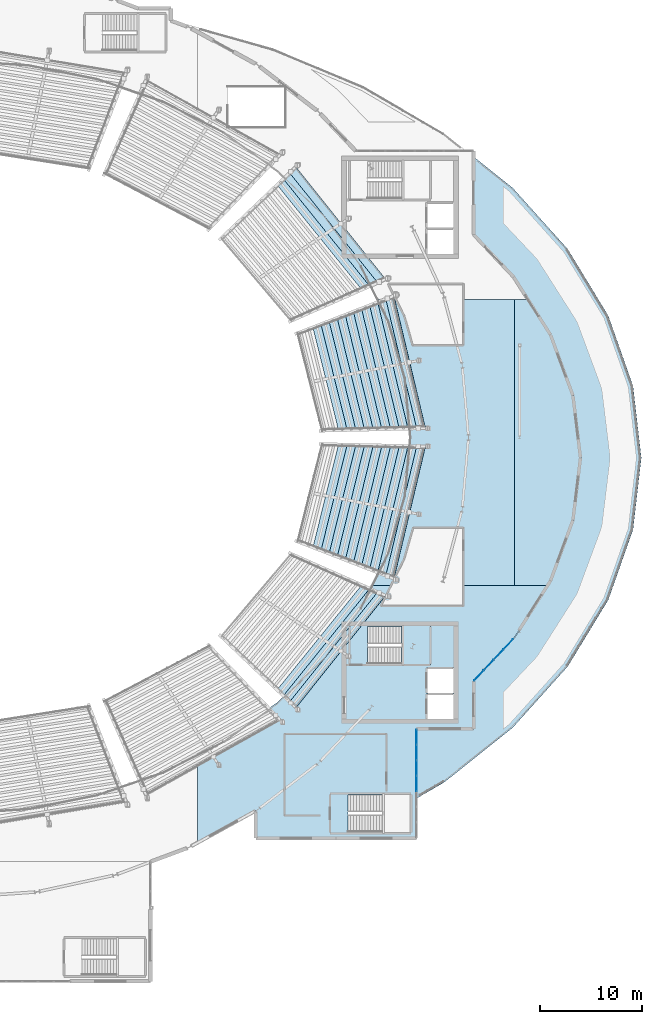
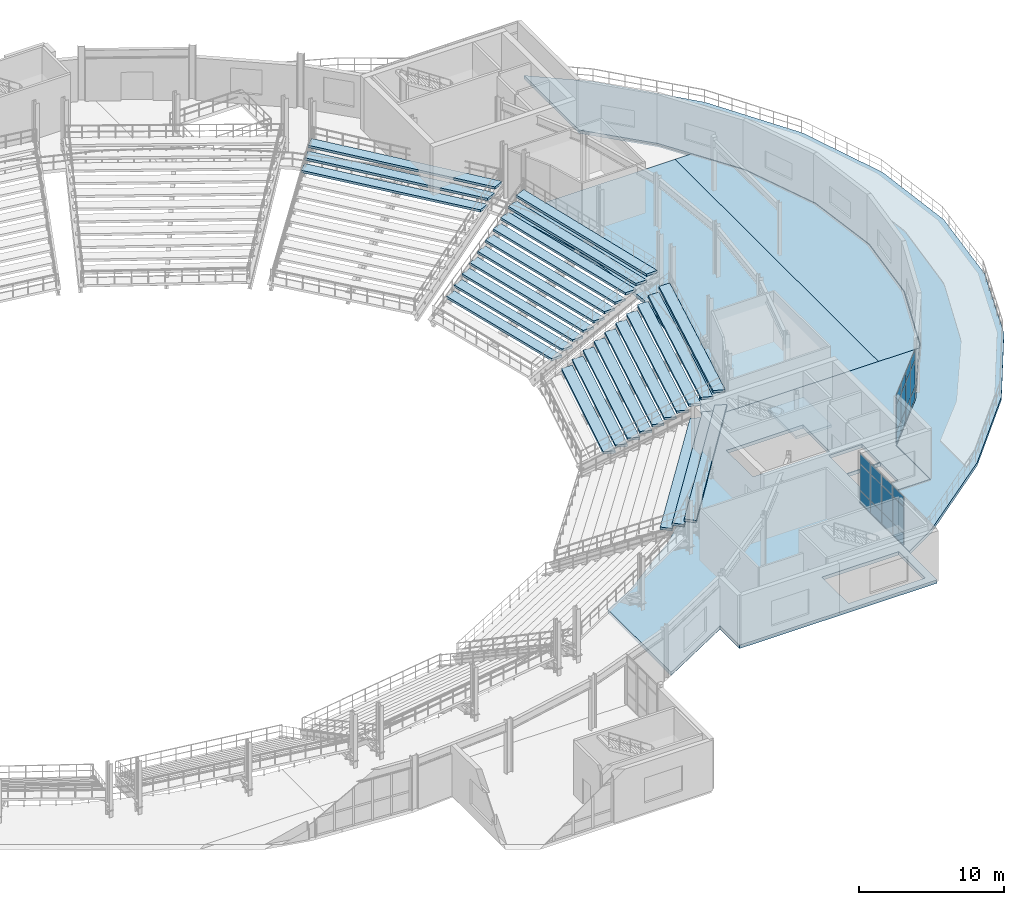
# One storey, part 51 of 81: 31 slabs, 24 plates, 3 elements without a shape of their own.
"""IFC4 building model written with IfcOpenShell, lengths in metres."""

from ifc_helpers import new_model, si_unit, direction, frame, origin, origin_2d, place, context, subcontext, project, spatial, polyline, rectangle, outline, extrude, material, layer, layer_set, type_object, element, aggregate, save


model = new_model("IFC4")

# Units and contexts
model_context = context("Model", 3, precision=1e-05, world=origin(), true_north=direction((0.0, 1.0)))
body_context = subcontext(model_context, "Body", "Model", "MODEL_VIEW")
ifc_project = project(units=[si_unit("LENGTHUNIT", "METRE"), si_unit("AREAUNIT", "SQUARE_METRE"), si_unit("VOLUMEUNIT", "CUBIC_METRE"), si_unit("PLANEANGLEUNIT", "RADIAN"), si_unit("MASSUNIT", "GRAM", prefix="KILO")], contexts=[model_context])

# Site, building, storey
site_placement = place(None, origin())
site = spatial("IfcSite", under=ifc_project, at=site_placement, CompositionType="ELEMENT")
building_placement = place(site_placement, origin())
building = spatial("IfcBuilding", under=site, at=building_placement, Name="Glasvene Arena", CompositionType="ELEMENT")
storey_placement = place(building_placement, frame((0.0, 0.0, 15.0)))
storey = spatial("IfcBuildingStorey", under=building, at=storey_placement, Name="L03", CompositionType="ELEMENT", Elevation=15.0)

# Curtain wall, plates
ifc_material_1 = material(Name="Low-emissivity laminated double glazing", Category="glass")
curtain_wall_type_1 = type_object("IfcCurtainWallType", Name="CW-FAC-L03-563x419", PredefinedType="USERDEFINED", material=ifc_material_1)
curtain_wall_1_placement = place(storey_placement, frame((146.388427734375, 53.2880859375, 0.0)))
curtain_wall_1 = element("IfcCurtainWall", 1, at=curtain_wall_1_placement, inside=storey, type_object=curtain_wall_type_1, Name="Unitised curtain wall CW-F-L03-180-1445-512-43", ObjectType="CURTAIN WALL", PredefinedType="USERDEFINED")
ifc_layer_1 = layer(ifc_material_1, 0.028076171875)
ifc_layer_set_1 = layer_set([ifc_layer_1], Name="Low-emissivity laminated double glazing")
plate_type = type_object("IfcPlateType", Name="CW-GLZ-28", PredefinedType="CURTAIN_PANEL", material=ifc_layer_set_1)
plate_1_placement = place(storey_placement, frame((145.897216796875, 52.767333984375, 0.10986328125), z_axis=(0.0, 0.0, 1.0), x_axis=(-0.686145910803, -0.727463943497, 0.0)))
plate_1 = element("IfcPlate", 2, at=plate_1_placement, type_object=plate_type, Name="CW-039 panel 1.1", PredefinedType="CURTAIN_PANEL", context=body_context, shape_type="SweptSolid", body=[
    extrude(rectangle(XDim=1.331787109375, YDim=0.028076171875, at=origin_2d()), origin(), (0.0, 0.0, 1.0), 0.965087890625),
])
plate_2_placement = place(storey_placement, frame((145.897216796875, 52.767333984375, 1.125), z_axis=(0.0, 0.0, 1.0), x_axis=(-0.686145910803, -0.727463943497, 0.0)))
plate_2 = element("IfcPlate", 3, at=plate_2_placement, type_object=plate_type, Name="CW-039 panel 1.2", PredefinedType="CURTAIN_PANEL", context=body_context, shape_type="SweptSolid", body=[
    extrude(rectangle(XDim=1.331787109375, YDim=0.028076171875, at=origin_2d()), origin(), (0.0, 0.0, 1.0), 2.199951171875),
])
plate_3_placement = place(storey_placement, frame((145.897216796875, 52.767333984375, 3.375), z_axis=(0.0, 0.0, 1.0), x_axis=(-0.686145910803, -0.727463943497, 0.0)))
plate_3 = element("IfcPlate", 4, at=plate_3_placement, type_object=plate_type, Name="CW-039 panel 1.3", PredefinedType="CURTAIN_PANEL", context=body_context, shape_type="SweptSolid", body=[
    extrude(rectangle(XDim=1.331787109375, YDim=0.028076171875, at=origin_2d()), origin(), (0.0, 0.0, 1.0), 0.824951171875),
])
plate_4_placement = place(storey_placement, frame((144.9404296875, 51.7529296875, 0.10986328125), z_axis=(0.0, 0.0, 1.0), x_axis=(-0.686145910803, -0.727463943497, 0.0)))
plate_4 = element("IfcPlate", 5, at=plate_4_placement, type_object=plate_type, Name="CW-039 panel 2.1", PredefinedType="CURTAIN_PANEL", context=body_context, shape_type="SweptSolid", body=[
    extrude(rectangle(XDim=1.356689453125, YDim=0.028076171875, at=origin_2d()), origin(), (0.0, 0.0, 1.0), 0.965087890625),
])
plate_5_placement = place(storey_placement, frame((144.9404296875, 51.7529296875, 1.125), z_axis=(0.0, 0.0, 1.0), x_axis=(-0.686145910803, -0.727463943497, 0.0)))
plate_5 = element("IfcPlate", 6, at=plate_5_placement, type_object=plate_type, Name="CW-039 panel 2.2", PredefinedType="CURTAIN_PANEL", context=body_context, shape_type="SweptSolid", body=[
    extrude(rectangle(XDim=1.356689453125, YDim=0.028076171875, at=origin_2d()), origin(), (0.0, 0.0, 1.0), 2.199951171875),
])
plate_6_placement = place(storey_placement, frame((144.9404296875, 51.7529296875, 3.375), z_axis=(0.0, 0.0, 1.0), x_axis=(-0.686145910803, -0.727463943497, 0.0)))
plate_6 = element("IfcPlate", 7, at=plate_6_placement, type_object=plate_type, Name="CW-039 panel 2.3", PredefinedType="CURTAIN_PANEL", context=body_context, shape_type="SweptSolid", body=[
    extrude(rectangle(XDim=1.356689453125, YDim=0.028076171875, at=origin_2d()), origin(), (0.0, 0.0, 1.0), 0.824951171875),
])
plate_7_placement = place(storey_placement, frame((143.975341796875, 50.7294921875, 0.10986328125), z_axis=(0.0, 0.0, 1.0), x_axis=(-0.686145910803, -0.727463943497, 0.0)))
plate_7 = element("IfcPlate", 8, at=plate_7_placement, type_object=plate_type, Name="CW-039 panel 3.1", PredefinedType="CURTAIN_PANEL", context=body_context, shape_type="SweptSolid", body=[
    extrude(rectangle(XDim=1.356689453125, YDim=0.028076171875, at=origin_2d()), origin(), (0.0, 0.0, 1.0), 0.965087890625),
])
plate_8_placement = place(storey_placement, frame((143.975341796875, 50.7294921875, 1.125), z_axis=(0.0, 0.0, 1.0), x_axis=(-0.686145910803, -0.727463943497, 0.0)))
plate_8 = element("IfcPlate", 9, at=plate_8_placement, type_object=plate_type, Name="CW-039 panel 3.2", PredefinedType="CURTAIN_PANEL", context=body_context, shape_type="SweptSolid", body=[
    extrude(rectangle(XDim=1.356689453125, YDim=0.028076171875, at=origin_2d()), origin(), (0.0, 0.0, 1.0), 2.199951171875),
])
plate_9_placement = place(storey_placement, frame((143.975341796875, 50.7294921875, 3.375), z_axis=(0.0, 0.0, 1.0), x_axis=(-0.686145910803, -0.727463943497, 0.0)))
plate_9 = element("IfcPlate", 10, at=plate_9_placement, type_object=plate_type, Name="CW-039 panel 3.3", PredefinedType="CURTAIN_PANEL", context=body_context, shape_type="SweptSolid", body=[
    extrude(rectangle(XDim=1.356689453125, YDim=0.028076171875, at=origin_2d()), origin(), (0.0, 0.0, 1.0), 0.824951171875),
])
plate_10_placement = place(storey_placement, frame((143.0185546875, 49.71533203125, 0.10986328125), z_axis=(0.0, 0.0, 1.0), x_axis=(-0.686145910803, -0.727463943497, 0.0)))
plate_10 = element("IfcPlate", 11, at=plate_10_placement, type_object=plate_type, Name="CW-039 panel 4.1", PredefinedType="CURTAIN_PANEL", context=body_context, shape_type="SweptSolid", body=[
    extrude(rectangle(XDim=1.331787109375, YDim=0.028076171875, at=origin_2d()), origin(), (0.0, 0.0, 1.0), 0.965087890625),
])
plate_11_placement = place(storey_placement, frame((143.0185546875, 49.71533203125, 1.125), z_axis=(0.0, 0.0, 1.0), x_axis=(-0.686145910803, -0.727463943497, 0.0)))
plate_11 = element("IfcPlate", 12, at=plate_11_placement, type_object=plate_type, Name="CW-039 panel 4.2", PredefinedType="CURTAIN_PANEL", context=body_context, shape_type="SweptSolid", body=[
    extrude(rectangle(XDim=1.331787109375, YDim=0.028076171875, at=origin_2d()), origin(), (0.0, 0.0, 1.0), 2.199951171875),
])
plate_12_placement = place(storey_placement, frame((143.0185546875, 49.71533203125, 3.375), z_axis=(0.0, 0.0, 1.0), x_axis=(-0.686145910803, -0.727463943497, 0.0)))
plate_12 = element("IfcPlate", 13, at=plate_12_placement, type_object=plate_type, Name="CW-039 panel 4.3", PredefinedType="CURTAIN_PANEL", context=body_context, shape_type="SweptSolid", body=[
    extrude(rectangle(XDim=1.331787109375, YDim=0.028076171875, at=origin_2d()), origin(), (0.0, 0.0, 1.0), 0.824951171875),
])
aggregate(curtain_wall_1, [plate_1, plate_2, plate_3, plate_4, plate_5, plate_6, plate_7, plate_8, plate_9, plate_10, plate_11, plate_12])

curtain_wall_type_2 = type_object("IfcCurtainWallType", Name="CW-FAC-L03-1062x419", PredefinedType="USERDEFINED", material=ifc_material_1)
curtain_wall_2_placement = place(storey_placement, frame((136.89990234375, 44.4599609375, 0.0)))
curtain_wall_2 = element("IfcCurtainWall", 14, at=curtain_wall_2_placement, inside=storey, type_object=curtain_wall_type_2, Name="Unitised curtain wall CW-F-L03-180-1369-392-46", ObjectType="CURTAIN WALL", PredefinedType="USERDEFINED")
plate_13_placement = place(storey_placement, frame((136.89990234375, 43.68896484375, 0.10986328125), z_axis=(0.0, 0.0, 1.0), x_axis=(0.0, -1.0, 0.0)))
plate_13 = element("IfcPlate", 15, at=plate_13_placement, type_object=plate_type, Name="CW-040 panel 1.1", PredefinedType="CURTAIN_PANEL", context=body_context, shape_type="SweptSolid", body=[
    extrude(rectangle(XDim=1.442138671875, YDim=0.028076171875, at=origin_2d()), origin(), (0.0, 0.0, 1.0), 0.965087890625),
])
plate_14_placement = place(storey_placement, frame((136.89990234375, 43.68896484375, 1.125), z_axis=(0.0, 0.0, 1.0), x_axis=(0.0, -1.0, 0.0)))
plate_14 = element("IfcPlate", 16, at=plate_14_placement, type_object=plate_type, Name="CW-040 panel 1.2", PredefinedType="CURTAIN_PANEL", context=body_context, shape_type="SweptSolid", body=[
    extrude(rectangle(XDim=1.442138671875, YDim=0.028076171875, at=origin_2d()), origin(), (0.0, 0.0, 1.0), 2.199951171875),
])
plate_15_placement = place(storey_placement, frame((136.89990234375, 43.68896484375, 3.375), z_axis=(0.0, 0.0, 1.0), x_axis=(0.0, -1.0, 0.0)))
plate_15 = element("IfcPlate", 17, at=plate_15_placement, type_object=plate_type, Name="CW-040 panel 1.3", PredefinedType="CURTAIN_PANEL", context=body_context, shape_type="SweptSolid", body=[
    extrude(rectangle(XDim=1.442138671875, YDim=0.028076171875, at=origin_2d()), origin(), (0.0, 0.0, 1.0), 0.824951171875),
])
plate_16_placement = place(storey_placement, frame((136.89990234375, 42.184326171875, 0.10986328125), z_axis=(0.0, 0.0, 1.0), x_axis=(0.0, -1.0, 0.0)))
plate_16 = element("IfcPlate", 18, at=plate_16_placement, type_object=plate_type, Name="CW-040 panel 2.1", PredefinedType="CURTAIN_PANEL", context=body_context, shape_type="SweptSolid", body=[
    extrude(rectangle(XDim=1.467041015625, YDim=0.028076171875, at=origin_2d()), origin(), (0.0, 0.0, 1.0), 0.965087890625),
])
plate_17_placement = place(storey_placement, frame((136.89990234375, 42.184326171875, 1.125), z_axis=(0.0, 0.0, 1.0), x_axis=(0.0, -1.0, 0.0)))
plate_17 = element("IfcPlate", 19, at=plate_17_placement, type_object=plate_type, Name="CW-040 panel 2.2", PredefinedType="CURTAIN_PANEL", context=body_context, shape_type="SweptSolid", body=[
    extrude(rectangle(XDim=1.467041015625, YDim=0.028076171875, at=origin_2d()), origin(), (0.0, 0.0, 1.0), 2.199951171875),
])
plate_18_placement = place(storey_placement, frame((136.89990234375, 42.184326171875, 3.375), z_axis=(0.0, 0.0, 1.0), x_axis=(0.0, -1.0, 0.0)))
plate_18 = element("IfcPlate", 20, at=plate_18_placement, type_object=plate_type, Name="CW-040 panel 2.3", PredefinedType="CURTAIN_PANEL", context=body_context, shape_type="SweptSolid", body=[
    extrude(rectangle(XDim=1.467041015625, YDim=0.028076171875, at=origin_2d()), origin(), (0.0, 0.0, 1.0), 0.824951171875),
])
plate_19_placement = place(storey_placement, frame((136.89990234375, 40.667236328125, 0.10986328125), z_axis=(0.0, 0.0, 1.0), x_axis=(0.0, -1.0, 0.0)))
plate_19 = element("IfcPlate", 21, at=plate_19_placement, type_object=plate_type, Name="CW-040 panel 3.1", PredefinedType="CURTAIN_PANEL", context=body_context, shape_type="SweptSolid", body=[
    extrude(rectangle(XDim=1.467041015625, YDim=0.028076171875, at=origin_2d()), origin(), (0.0, 0.0, 1.0), 0.965087890625),
])
plate_20_placement = place(storey_placement, frame((136.89990234375, 40.667236328125, 1.125), z_axis=(0.0, 0.0, 1.0), x_axis=(0.0, -1.0, 0.0)))
plate_20 = element("IfcPlate", 22, at=plate_20_placement, type_object=plate_type, Name="CW-040 panel 3.2", PredefinedType="CURTAIN_PANEL", context=body_context, shape_type="SweptSolid", body=[
    extrude(rectangle(XDim=1.467041015625, YDim=0.028076171875, at=origin_2d()), origin(), (0.0, 0.0, 1.0), 2.199951171875),
])
plate_21_placement = place(storey_placement, frame((136.89990234375, 40.667236328125, 3.375), z_axis=(0.0, 0.0, 1.0), x_axis=(0.0, -1.0, 0.0)))
plate_21 = element("IfcPlate", 23, at=plate_21_placement, type_object=plate_type, Name="CW-040 panel 3.3", PredefinedType="CURTAIN_PANEL", context=body_context, shape_type="SweptSolid", body=[
    extrude(rectangle(XDim=1.467041015625, YDim=0.028076171875, at=origin_2d()), origin(), (0.0, 0.0, 1.0), 0.824951171875),
])
plate_22_placement = place(storey_placement, frame((136.89990234375, 39.14990234375, 0.10986328125), z_axis=(0.0, 0.0, 1.0), x_axis=(0.0, -1.0, 0.0)))
plate_22 = element("IfcPlate", 24, at=plate_22_placement, type_object=plate_type, Name="CW-040 panel 4.1", PredefinedType="CURTAIN_PANEL", context=body_context, shape_type="SweptSolid", body=[
    extrude(rectangle(XDim=1.467041015625, YDim=0.028076171875, at=origin_2d()), origin(), (0.0, 0.0, 1.0), 0.965087890625),
])
plate_23_placement = place(storey_placement, frame((136.89990234375, 39.14990234375, 1.125), z_axis=(0.0, 0.0, 1.0), x_axis=(0.0, -1.0, 0.0)))
plate_23 = element("IfcPlate", 25, at=plate_23_placement, type_object=plate_type, Name="CW-040 panel 4.2", PredefinedType="CURTAIN_PANEL", context=body_context, shape_type="SweptSolid", body=[
    extrude(rectangle(XDim=1.467041015625, YDim=0.028076171875, at=origin_2d()), origin(), (0.0, 0.0, 1.0), 2.199951171875),
])
plate_24_placement = place(storey_placement, frame((136.89990234375, 39.14990234375, 3.375), z_axis=(0.0, 0.0, 1.0), x_axis=(0.0, -1.0, 0.0)))
plate_24 = element("IfcPlate", 26, at=plate_24_placement, type_object=plate_type, Name="CW-040 panel 4.3", PredefinedType="CURTAIN_PANEL", context=body_context, shape_type="SweptSolid", body=[
    extrude(rectangle(XDim=1.467041015625, YDim=0.028076171875, at=origin_2d()), origin(), (0.0, 0.0, 1.0), 0.824951171875),
])
aggregate(curtain_wall_2, [plate_13, plate_14, plate_15, plate_16, plate_17, plate_18, plate_19, plate_20, plate_21, plate_22, plate_23, plate_24])

# Slabs
ifc_material_2 = material(Name="Concrete C40/50", Category="concrete")
ifc_layer_2 = layer(ifc_material_2, 0.280029296875)
ifc_layer_set_2 = layer_set([ifc_layer_2], Name="Concrete C40/50")
slab_type_1 = type_object("IfcSlabType", Name="SL-CONC-280", PredefinedType="FLOOR", material=ifc_layer_set_2)
slab_1_placement = place(storey_placement, frame((130.744873046875, 45.739501953125, -0.280029296875)))
element("IfcSlab", 27, at=slab_1_placement, inside=storey, type_object=slab_type_1, Name="Structural floor slab L03 sector 2-5 (90)", PredefinedType="FLOOR", context=body_context, shape_type="SweptSolid", body=[
    extrude(outline(polyline([(11.755126953125, -1.239501953125), (6.155029296875, -1.239501953125), (6.155029296875, -11.939453125), (-9.544921875, -11.939453125), (-9.544921875, -9.249755859375), (-15.244873046875, -12.393310546875), (-15.244873046875, -3.6923828125), (-12.764892578125, -2.430419921875), (-7.49072265625, 1.309814453125), (-2.986328125, 5.688720703125), (0.6376953125, 10.598876953125), (1.7158203125, 12.760498046875), (18.975341796875, 12.760498046875), (15.6708984375, 7.57763671875), (11.755126953125, 3.42578125), (11.755126953125, -1.239501953125)]), holes=[polyline([(5.55517578125, -11.339599609375), (5.55517578125, -7.689453125), (-0.54296875, -7.689453125), (-0.54296875, -11.339599609375), (5.55517578125, -11.339599609375)]), polyline([(9.80517578125, -0.28955078125), (9.80517578125, 2.160400390625), (7.155029296875, 2.160400390625), (7.155029296875, -0.28955078125), (9.80517578125, -0.28955078125)]), polyline([(9.80517578125, 2.260498046875), (9.80517578125, 4.71044921875), (7.155029296875, 4.71044921875), (7.155029296875, 2.260498046875), (9.80517578125, 2.260498046875)]), polyline([(7.455078125, 5.110595703125), (7.455078125, 8.760498046875), (1.357177734375, 8.760498046875), (1.357177734375, 5.110595703125), (7.455078125, 5.110595703125)])]), origin(), (0.0, 0.0, 1.0), 0.280029296875),
])
slab_2_placement = place(storey_placement, frame((137.11181640625, 72.77783203125, -0.280029296875)))
element("IfcSlab", 28, at=slab_2_placement, inside=storey, type_object=slab_type_1, Name="Structural floor slab L03 sector 3-5 (93)", PredefinedType="FLOOR", context=body_context, shape_type="SweptSolid", body=[
    extrude(outline(polyline([(-3.0751953125, 11.56298828125), (-4.152099609375, 13.72216796875), (9.38818359375, 13.72216796875), (9.38818359375, -14.27783203125), (-4.651123046875, -14.27783203125), (-3.0751953125, -11.11865234375), (-1.4560546875, -5.51904296875), (-0.911865234375, 0.22216796875), (-1.4560546875, 5.96337890625), (-3.0751953125, 11.56298828125)])), origin(), (0.0, 0.0, 1.0), 0.280029296875),
])
slab_3_placement = place(storey_placement, frame((149.770263671875, 71.666748046875, -0.280029296875)))
element("IfcSlab", 29, at=slab_3_placement, inside=storey, type_object=slab_type_1, Name="Structural floor slab L03 sector 3-6 (94)", PredefinedType="FLOOR", context=body_context, shape_type="SweptSolid", body=[
    extrude(outline(polyline([(0.24560546875, 11.369384765625), (2.441650390625, 5.42626953125), (3.1796875, -0.666748046875), (2.441650390625, -6.759765625), (0.24560546875, -12.702880859375), (-0.050048828125, -13.166748046875), (-3.270263671875, -13.166748046875), (-3.270263671875, 14.833251953125), (-1.962646484375, 14.833251953125), (0.24560546875, 11.369384765625)])), origin(), (0.0, 0.0, 1.0), 0.280029296875),
])

# Stair, slab
stair_type = type_object("IfcStairType", Name="ST-HT-450-170", PredefinedType="HALF_TURN_STAIR", material=ifc_material_2)
stair_placement = place(storey_placement, origin())
stair = element("IfcStair", 30, at=stair_placement, inside=storey, type_object=stair_type, Name="Protected escape stair ST-04 (L03 to L04)", PredefinedType="HALF_TURN_STAIR")
ifc_layer_3 = layer(ifc_material_2, 0.219970703125)
ifc_layer_set_3 = layer_set([ifc_layer_3], Name="Concrete C40/50")
slab_type_2 = type_object("IfcSlabType", Name="SL-LAND-220", PredefinedType="LANDING", material=ifc_layer_set_3)
slab_4_placement = place(storey_placement, frame((136.8798828125, 52.675048828125, 2.030029296875)))
slab_4 = element("IfcSlab", 31, at=slab_4_placement, type_object=slab_type_2, Name="Protected escape stair ST-04 (L03 to L04) landing 1", PredefinedType="LANDING", context=body_context, shape_type="SweptSolid", body=[
    extrude(outline(polyline([(-1.419921875, -1.925048828125), (1.420166015625, -1.925048828125), (1.420166015625, 1.925048828125), (-1.419921875, 1.925048828125), (-1.419921875, -1.925048828125)])), origin(), (0.0, 0.0, 1.0), 0.219970703125),
])
aggregate(stair, [slab_4])

# Slabs
ifc_layer_4 = layer(ifc_material_2, 0.280029296875)
ifc_layer_set_4 = layer_set([ifc_layer_4], Name="Concrete C40/50")
slab_type_3 = type_object("IfcSlabType", Name="SL-TERR-280", PredefinedType="FLOOR", material=ifc_layer_set_4)
slab_5_placement = place(storey_placement, frame((147.852294921875, 64.526123046875, -0.280029296875)))
element("IfcSlab", 32, at=slab_5_placement, inside=storey, type_object=slab_type_3, Name="Planted limestone terrace slab TR-L03-STEP2-1", PredefinedType="FLOOR", context=body_context, shape_type="SweptSolid", body=[
    extrude(outline(polyline([(3.864990234375, 26.858154296875), (7.822265625, 20.348876953125), (10.236328125, 13.497802734375), (11.047607421875, 6.473876953125), (10.236328125, -0.550048828125), (7.822265625, -7.401123046875), (3.864990234375, -13.910400390625), (-1.5380859375, -19.917724609375), (-8.25390625, -25.275146484375), (-10.912353515625, -26.822021484375), (-10.912353515625, -20.066162109375), (-5.352294921875, -20.066162109375), (-5.3369140625, -20.063232421875), (-5.3212890625, -20.051513671875), (-5.31396484375, -20.037841796875), (-5.312255859375, -15.376708984375), (-1.40478515625, -11.233642578125), (2.197265625, -5.583740234375), (4.397216796875, 0.366943359375), (5.137451171875, 6.468994140625), (4.3994140625, 12.57177734375), (2.200927734375, 18.52392578125), (-1.40478515625, 24.181396484375), (-5.312255859375, 28.324462890625), (-5.312255859375, 35.876220703125), (-1.5380859375, 32.865478515625), (3.864990234375, 26.858154296875)])), origin(), (0.0, 0.0, 1.0), 0.280029296875),
])
ifc_material_3 = material(Name="Precast concrete C50/60", Category="concrete")
ifc_layer_5 = layer(ifc_material_3, 0.199951171875)
ifc_layer_set_5 = layer_set([ifc_layer_5], Name="Precast concrete C50/60")
slab_type_4 = type_object("IfcSlabType", Name="SL-TIER-UP", PredefinedType="USERDEFINED", material=ifc_layer_set_5)
slab_6_placement = place(storey_placement, frame((128.443603515625, 78.807861328125, -3.139892578125)))
element("IfcSlab", 33, at=slab_6_placement, inside=storey, type_object=slab_type_4, Name="Stand upper tier sector 01 row 03", ObjectType="SEATING TIER", PredefinedType="USERDEFINED", context=body_context, shape_type="SweptSolid", body=[
    extrude(outline(polyline([(0.8466796875, -5.1318359375), (-1.66796875, 4.968505859375), (-0.87548828125, 5.27587890625), (1.696533203125, -5.112548828125), (0.8466796875, -5.1318359375)])), origin(), (0.0, 0.0, 1.0), 0.199951171875),
])
slab_7_placement = place(storey_placement, frame((129.2646484375, 78.97119140625, -2.659912109375)))
element("IfcSlab", 34, at=slab_7_placement, inside=storey, type_object=slab_type_4, Name="Stand upper tier sector 01 row 04", ObjectType="SEATING TIER", PredefinedType="USERDEFINED", context=body_context, shape_type="SweptSolid", body=[
    extrude(outline(polyline([(0.87548828125, -5.27587890625), (-1.696533203125, 5.112548828125), (-0.904052734375, 5.419921875), (1.725341796875, -5.256591796875), (0.87548828125, -5.27587890625)])), origin(), (0.0, 0.0, 1.0), 0.199951171875),
])
slab_8_placement = place(storey_placement, frame((130.0859375, 79.134521484375, -2.179931640625)))
element("IfcSlab", 35, at=slab_8_placement, inside=storey, type_object=slab_type_4, Name="Stand upper tier sector 01 row 05", ObjectType="SEATING TIER", PredefinedType="USERDEFINED", context=body_context, shape_type="SweptSolid", body=[
    extrude(outline(polyline([(0.904052734375, -5.419921875), (-1.725341796875, 5.256591796875), (-0.932861328125, 5.56396484375), (1.753662109375, -5.400634765625), (0.904052734375, -5.419921875)])), origin(), (0.0, 0.0, 1.0), 0.199951171875),
])
slab_9_placement = place(storey_placement, frame((130.906982421875, 79.2978515625, -1.699951171875)))
element("IfcSlab", 36, at=slab_9_placement, inside=storey, type_object=slab_type_4, Name="Stand upper tier sector 01 row 06", ObjectType="SEATING TIER", PredefinedType="USERDEFINED", context=body_context, shape_type="SweptSolid", body=[
    extrude(outline(polyline([(0.9326171875, -5.56396484375), (-1.75390625, 5.400634765625), (-0.96142578125, 5.7080078125), (1.782470703125, -5.544677734375), (0.9326171875, -5.56396484375)])), origin(), (0.0, 0.0, 1.0), 0.199951171875),
])
slab_10_placement = place(storey_placement, frame((131.72802734375, 79.461181640625, -1.219970703125)))
element("IfcSlab", 37, at=slab_10_placement, inside=storey, type_object=slab_type_4, Name="Stand upper tier sector 01 row 07", ObjectType="SEATING TIER", PredefinedType="USERDEFINED", context=body_context, shape_type="SweptSolid", body=[
    extrude(outline(polyline([(0.96142578125, -5.7080078125), (-1.782470703125, 5.544677734375), (-0.989990234375, 5.85205078125), (1.811279296875, -5.688720703125), (0.96142578125, -5.7080078125)])), origin(), (0.0, 0.0, 1.0), 0.199951171875),
])
slab_11_placement = place(storey_placement, frame((132.54931640625, 79.62451171875, -0.739990234375)))
element("IfcSlab", 38, at=slab_11_placement, inside=storey, type_object=slab_type_4, Name="Stand upper tier sector 01 row 08", ObjectType="SEATING TIER", PredefinedType="USERDEFINED", context=body_context, shape_type="SweptSolid", body=[
    extrude(outline(polyline([(0.989990234375, -5.85205078125), (-1.811279296875, 5.688720703125), (-1.018798828125, 5.99609375), (1.83984375, -5.832763671875), (0.989990234375, -5.85205078125)])), origin(), (0.0, 0.0, 1.0), 0.199951171875),
])
slab_12_placement = place(storey_placement, frame((133.370361328125, 79.787841796875, -0.260009765625)))
element("IfcSlab", 39, at=slab_12_placement, inside=storey, type_object=slab_type_4, Name="Stand upper tier sector 01 row 09", ObjectType="SEATING TIER", PredefinedType="USERDEFINED", context=body_context, shape_type="SweptSolid", body=[
    extrude(outline(polyline([(1.018798828125, -5.99609375), (-1.83984375, 5.832763671875), (-1.04736328125, 6.14013671875), (1.86865234375, -5.976806640625), (1.018798828125, -5.99609375)])), origin(), (0.0, 0.0, 1.0), 0.199951171875),
])
slab_13_placement = place(storey_placement, frame((134.19140625, 79.951171875, 0.219970703125)))
element("IfcSlab", 40, at=slab_13_placement, inside=storey, type_object=slab_type_4, Name="Stand upper tier sector 01 row 10", ObjectType="SEATING TIER", PredefinedType="USERDEFINED", context=body_context, shape_type="SweptSolid", body=[
    extrude(outline(polyline([(1.047607421875, -6.14013671875), (-1.868408203125, 5.976806640625), (-1.075927734375, 6.284423828125), (1.897216796875, -6.120849609375), (1.047607421875, -6.14013671875)])), origin(), (0.0, 0.0, 1.0), 0.199951171875),
])
slab_14_placement = place(storey_placement, frame((135.0126953125, 80.114501953125, 0.699951171875)))
element("IfcSlab", 41, at=slab_14_placement, inside=storey, type_object=slab_type_4, Name="Stand upper tier sector 01 row 11", ObjectType="SEATING TIER", PredefinedType="USERDEFINED", context=body_context, shape_type="SweptSolid", body=[
    extrude(outline(polyline([(1.075927734375, -6.2841796875), (-1.897216796875, 6.12109375), (-1.104736328125, 6.42822265625), (1.92578125, -6.264892578125), (1.075927734375, -6.2841796875)])), origin(), (0.0, 0.0, 1.0), 0.199951171875),
])
slab_15_placement = place(storey_placement, frame((135.833740234375, 80.27783203125, 1.179931640625)))
element("IfcSlab", 42, at=slab_15_placement, inside=storey, type_object=slab_type_4, Name="Stand upper tier sector 01 row 12", ObjectType="SEATING TIER", PredefinedType="USERDEFINED", context=body_context, shape_type="SweptSolid", body=[
    extrude(outline(polyline([(1.104736328125, -6.42822265625), (-1.92578125, 6.264892578125), (-1.13330078125, 6.572265625), (1.954345703125, -6.408935546875), (1.104736328125, -6.42822265625)])), origin(), (0.0, 0.0, 1.0), 0.199951171875),
])
slab_16_placement = place(storey_placement, frame((127.768310546875, 92.79541015625, 0.219970703125)))
element("IfcSlab", 43, at=slab_16_placement, inside=storey, type_object=slab_type_4, Name="Stand upper tier sector 02 row 10", ObjectType="SEATING TIER", PredefinedType="USERDEFINED", context=body_context, shape_type="SweptSolid", body=[
    extrude(outline(polyline([(3.8037109375, -5.36865234375), (-4.5, 4.903564453125), (-3.885498046875, 5.490966796875), (4.581298828125, -5.025634765625), (3.8037109375, -5.36865234375)])), origin(), (0.0, 0.0, 1.0), 0.199951171875),
])
slab_17_placement = place(storey_placement, frame((128.46435546875, 93.260498046875, 0.699951171875)))
element("IfcSlab", 44, at=slab_17_placement, inside=storey, type_object=slab_type_4, Name="Stand upper tier sector 02 row 11", ObjectType="SEATING TIER", PredefinedType="USERDEFINED", context=body_context, shape_type="SweptSolid", body=[
    extrude(outline(polyline([(3.88525390625, -5.49072265625), (-4.58154296875, 5.02587890625), (-3.967041015625, 5.613037109375), (4.6630859375, -5.147705078125), (3.88525390625, -5.49072265625)])), origin(), (0.0, 0.0, 1.0), 0.199951171875),
])
slab_18_placement = place(storey_placement, frame((129.160400390625, 93.725830078125, 1.179931640625)))
element("IfcSlab", 45, at=slab_18_placement, inside=storey, type_object=slab_type_4, Name="Stand upper tier sector 02 row 12", ObjectType="SEATING TIER", PredefinedType="USERDEFINED", context=body_context, shape_type="SweptSolid", body=[
    extrude(outline(polyline([(3.967041015625, -5.613037109375), (-4.6630859375, 5.147705078125), (-4.048583984375, 5.73486328125), (4.744873046875, -5.27001953125), (3.967041015625, -5.613037109375)])), origin(), (0.0, 0.0, 1.0), 0.199951171875),
])
slab_19_placement = place(storey_placement, frame((127.768310546875, 53.20458984375, 0.219970703125)))
element("IfcSlab", 46, at=slab_19_placement, inside=storey, type_object=slab_type_4, Name="Stand upper tier sector 15 row 10", ObjectType="SEATING TIER", PredefinedType="USERDEFINED", context=body_context, shape_type="SweptSolid", body=[
    extrude(outline(polyline([(-4.5, -4.903564453125), (3.8037109375, 5.36865234375), (4.581298828125, 5.025634765625), (-3.885498046875, -5.490966796875), (-4.5, -4.903564453125)])), origin(), (0.0, 0.0, 1.0), 0.199951171875),
])
slab_20_placement = place(storey_placement, frame((128.46435546875, 52.739501953125, 0.699951171875)))
element("IfcSlab", 47, at=slab_20_placement, inside=storey, type_object=slab_type_4, Name="Stand upper tier sector 15 row 11", ObjectType="SEATING TIER", PredefinedType="USERDEFINED", context=body_context, shape_type="SweptSolid", body=[
    extrude(outline(polyline([(-4.58154296875, -5.02587890625), (3.88525390625, 5.49072265625), (4.6630859375, 5.147705078125), (-3.967041015625, -5.613037109375), (-4.58154296875, -5.02587890625)])), origin(), (0.0, 0.0, 1.0), 0.199951171875),
])
slab_21_placement = place(storey_placement, frame((129.160400390625, 52.274169921875, 1.179931640625)))
element("IfcSlab", 48, at=slab_21_placement, inside=storey, type_object=slab_type_4, Name="Stand upper tier sector 15 row 12", ObjectType="SEATING TIER", PredefinedType="USERDEFINED", context=body_context, shape_type="SweptSolid", body=[
    extrude(outline(polyline([(-4.6630859375, -5.147705078125), (3.967041015625, 5.613037109375), (4.744873046875, 5.27001953125), (-4.048583984375, -5.73486328125), (-4.6630859375, -5.147705078125)])), origin(), (0.0, 0.0, 1.0), 0.199951171875),
])
slab_22_placement = place(storey_placement, frame((128.443603515625, 67.192138671875, -3.139892578125)))
element("IfcSlab", 49, at=slab_22_placement, inside=storey, type_object=slab_type_4, Name="Stand upper tier sector 16 row 03", ObjectType="SEATING TIER", PredefinedType="USERDEFINED", context=body_context, shape_type="SweptSolid", body=[
    extrude(outline(polyline([(-1.66796875, -4.968505859375), (0.8466796875, 5.1318359375), (1.696533203125, 5.112548828125), (-0.87548828125, -5.27587890625), (-1.66796875, -4.968505859375)])), origin(), (0.0, 0.0, 1.0), 0.199951171875),
])
slab_23_placement = place(storey_placement, frame((129.2646484375, 67.02880859375, -2.659912109375)))
element("IfcSlab", 50, at=slab_23_placement, inside=storey, type_object=slab_type_4, Name="Stand upper tier sector 16 row 04", ObjectType="SEATING TIER", PredefinedType="USERDEFINED", context=body_context, shape_type="SweptSolid", body=[
    extrude(outline(polyline([(-1.696533203125, -5.112548828125), (0.87548828125, 5.27587890625), (1.725341796875, 5.256591796875), (-0.904052734375, -5.419921875), (-1.696533203125, -5.112548828125)])), origin(), (0.0, 0.0, 1.0), 0.199951171875),
])
slab_24_placement = place(storey_placement, frame((130.0859375, 66.865478515625, -2.179931640625)))
element("IfcSlab", 51, at=slab_24_placement, inside=storey, type_object=slab_type_4, Name="Stand upper tier sector 16 row 05", ObjectType="SEATING TIER", PredefinedType="USERDEFINED", context=body_context, shape_type="SweptSolid", body=[
    extrude(outline(polyline([(-1.725341796875, -5.256591796875), (0.904052734375, 5.419921875), (1.753662109375, 5.400634765625), (-0.932861328125, -5.56396484375), (-1.725341796875, -5.256591796875)])), origin(), (0.0, 0.0, 1.0), 0.199951171875),
])
slab_25_placement = place(storey_placement, frame((130.906982421875, 66.7021484375, -1.699951171875)))
element("IfcSlab", 52, at=slab_25_placement, inside=storey, type_object=slab_type_4, Name="Stand upper tier sector 16 row 06", ObjectType="SEATING TIER", PredefinedType="USERDEFINED", context=body_context, shape_type="SweptSolid", body=[
    extrude(outline(polyline([(-1.75390625, -5.400634765625), (0.9326171875, 5.56396484375), (1.782470703125, 5.544677734375), (-0.96142578125, -5.7080078125), (-1.75390625, -5.400634765625)])), origin(), (0.0, 0.0, 1.0), 0.199951171875),
])
slab_26_placement = place(storey_placement, frame((131.72802734375, 66.538818359375, -1.219970703125)))
element("IfcSlab", 53, at=slab_26_placement, inside=storey, type_object=slab_type_4, Name="Stand upper tier sector 16 row 07", ObjectType="SEATING TIER", PredefinedType="USERDEFINED", context=body_context, shape_type="SweptSolid", body=[
    extrude(outline(polyline([(-1.782470703125, -5.544677734375), (0.96142578125, 5.7080078125), (1.811279296875, 5.688720703125), (-0.989990234375, -5.85205078125), (-1.782470703125, -5.544677734375)])), origin(), (0.0, 0.0, 1.0), 0.199951171875),
])
slab_27_placement = place(storey_placement, frame((132.54931640625, 66.37548828125, -0.739990234375)))
element("IfcSlab", 54, at=slab_27_placement, inside=storey, type_object=slab_type_4, Name="Stand upper tier sector 16 row 08", ObjectType="SEATING TIER", PredefinedType="USERDEFINED", context=body_context, shape_type="SweptSolid", body=[
    extrude(outline(polyline([(-1.811279296875, -5.688720703125), (0.989990234375, 5.85205078125), (1.83984375, 5.832763671875), (-1.018798828125, -5.99609375), (-1.811279296875, -5.688720703125)])), origin(), (0.0, 0.0, 1.0), 0.199951171875),
])
slab_28_placement = place(storey_placement, frame((133.370361328125, 66.212158203125, -0.260009765625)))
element("IfcSlab", 55, at=slab_28_placement, inside=storey, type_object=slab_type_4, Name="Stand upper tier sector 16 row 09", ObjectType="SEATING TIER", PredefinedType="USERDEFINED", context=body_context, shape_type="SweptSolid", body=[
    extrude(outline(polyline([(-1.83984375, -5.832763671875), (1.018798828125, 5.99609375), (1.86865234375, 5.976806640625), (-1.04736328125, -6.14013671875), (-1.83984375, -5.832763671875)])), origin(), (0.0, 0.0, 1.0), 0.199951171875),
])
slab_29_placement = place(storey_placement, frame((134.19140625, 66.048828125, 0.219970703125)))
element("IfcSlab", 56, at=slab_29_placement, inside=storey, type_object=slab_type_4, Name="Stand upper tier sector 16 row 10", ObjectType="SEATING TIER", PredefinedType="USERDEFINED", context=body_context, shape_type="SweptSolid", body=[
    extrude(outline(polyline([(-1.868408203125, -5.976806640625), (1.047607421875, 6.14013671875), (1.897216796875, 6.120849609375), (-1.075927734375, -6.284423828125), (-1.868408203125, -5.976806640625)])), origin(), (0.0, 0.0, 1.0), 0.199951171875),
])
slab_30_placement = place(storey_placement, frame((135.0126953125, 65.885498046875, 0.699951171875)))
element("IfcSlab", 57, at=slab_30_placement, inside=storey, type_object=slab_type_4, Name="Stand upper tier sector 16 row 11", ObjectType="SEATING TIER", PredefinedType="USERDEFINED", context=body_context, shape_type="SweptSolid", body=[
    extrude(outline(polyline([(-1.897216796875, -6.12109375), (1.075927734375, 6.2841796875), (1.92578125, 6.264892578125), (-1.104736328125, -6.42822265625), (-1.897216796875, -6.12109375)])), origin(), (0.0, 0.0, 1.0), 0.199951171875),
])
slab_31_placement = place(storey_placement, frame((135.833740234375, 65.72216796875, 1.179931640625)))
element("IfcSlab", 58, at=slab_31_placement, inside=storey, type_object=slab_type_4, Name="Stand upper tier sector 16 row 12", ObjectType="SEATING TIER", PredefinedType="USERDEFINED", context=body_context, shape_type="SweptSolid", body=[
    extrude(outline(polyline([(-1.92578125, -6.264892578125), (1.104736328125, 6.42822265625), (1.954345703125, 6.408935546875), (-1.13330078125, -6.572265625), (-1.92578125, -6.264892578125)])), origin(), (0.0, 0.0, 1.0), 0.199951171875),
])

save(model, "model.ifc")
